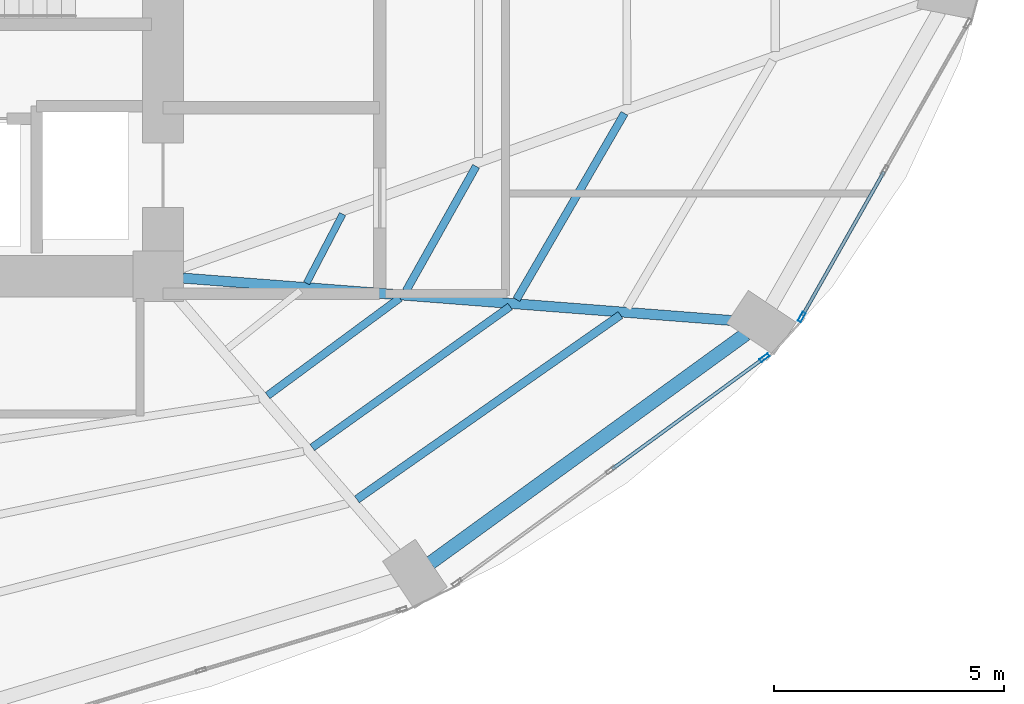
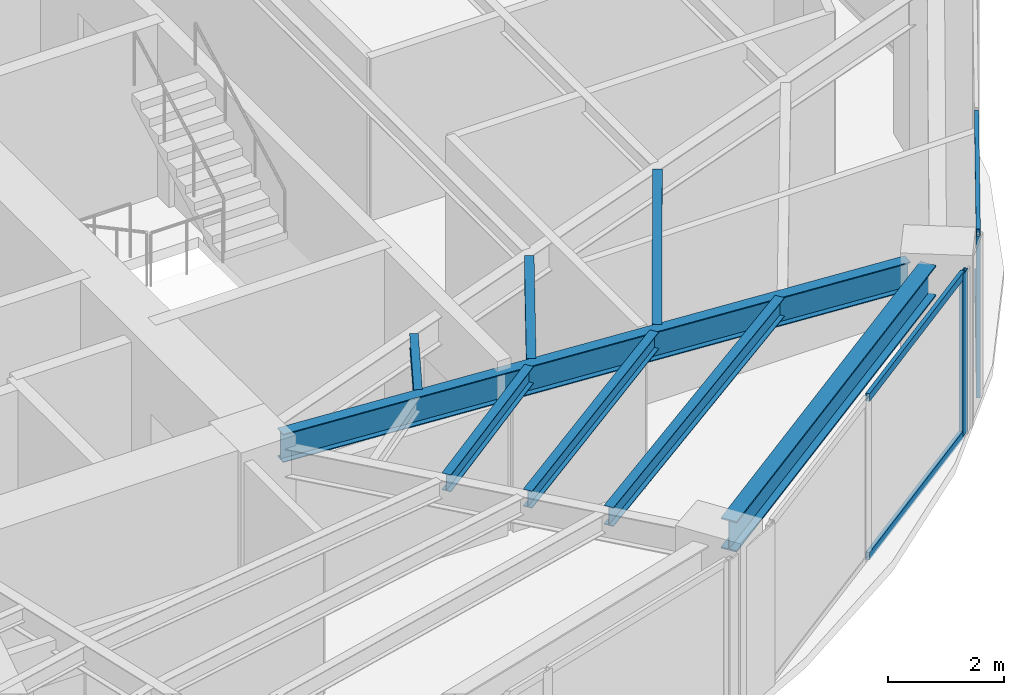
# One storey, part 10 of 24: 8 beams, 6 members, 2 elements without a shape of their own.
"""IFC4 building model written with IfcOpenShell, lengths in metres."""

from ifc_helpers import new_model, si_unit, direction, frame, origin, origin_2d, place, context, subcontext, project, spatial, hollow_rectangle, i_section, extrude, material, layer, layer_set, material_profile, profile_set, type_object, element, aggregate, save


model = new_model("IFC4")

# Units and contexts
model_context = context("Model", 3, precision=1e-05, world=origin(), true_north=direction((0.0, 1.0)))
body_context = subcontext(model_context, "Body", "Model", "MODEL_VIEW")
ifc_project = project(units=[si_unit("LENGTHUNIT", "METRE"), si_unit("AREAUNIT", "SQUARE_METRE"), si_unit("VOLUMEUNIT", "CUBIC_METRE"), si_unit("PLANEANGLEUNIT", "RADIAN"), si_unit("MASSUNIT", "GRAM", prefix="KILO")], contexts=[model_context])

# Site, building, storey
site_placement = place(None, origin())
site = spatial("IfcSite", under=ifc_project, at=site_placement, CompositionType="ELEMENT")
building_placement = place(site_placement, origin())
building = spatial("IfcBuilding", under=site, at=building_placement, Name="Lazwardi Medical Tower", CompositionType="ELEMENT")
storey_placement = place(building_placement, frame((0.0, 0.0, 39.7919921875)))
storey = spatial("IfcBuildingStorey", under=building, at=storey_placement, Name="L09", CompositionType="ELEMENT", Elevation=39.7919921875)

# Beams
ifc_material_1 = material(Name="Steel S355", Category="steel")
ifc_material_profile_1 = material_profile(ifc_material_1, i_section(OverallWidth=0.300048828125, OverallDepth=0.64990234375, WebThickness=0.01611328125, FlangeThickness=0.031005859375, at=origin_2d()), Name="HEB 650")
ifc_profile_set_1 = profile_set([ifc_material_profile_1], Name="Steel S355")
beam_type_1 = type_object("IfcBeamType", Name="BM-RB-Z1", PredefinedType="BEAM", material=ifc_profile_set_1)
beam_1_placement = place(storey_placement, frame((51.52099609375, 14.16259765625, 3.10302734375), z_axis=(0.80939338516, 0.5872668457, 0.0), x_axis=(-0.5872668457, 0.80939338516, 0.0)))
element("IfcBeam", 1, at=beam_1_placement, inside=storey, type_object=beam_type_1, Name="Ring beam RB-02 B02 L09", PredefinedType="BEAM", context=body_context, shape_type="SweptSolid", body=[
    extrude(i_section(OverallWidth=0.300048828125, OverallDepth=0.64990234375, WebThickness=0.01611328125, FlangeThickness=0.031005859375, at=origin_2d()), origin(), (0.0, 0.0, 1.0), 8.47412109375),
])
ifc_material_profile_2 = material_profile(ifc_material_1, i_section(OverallWidth=0.219970703125, OverallDepth=0.60009765625, WebThickness=0.011962890625, FlangeThickness=0.01904296875, at=origin_2d()), Name="IPE 600")
ifc_profile_set_2 = profile_set([ifc_material_profile_2], Name="Steel S355")
beam_type_2 = type_object("IfcBeamType", Name="BM-RG-W1", PredefinedType="BEAM", material=ifc_profile_set_2)
beam_2_placement = place(storey_placement, frame((58.1416015625, 19.430419921875, 3.1279296875), z_axis=(-0.997024241118, 0.077088667283, 0.0), x_axis=(-0.077088667283, -0.997024241118, 0.0)))
element("IfcBeam", 2, at=beam_2_placement, inside=storey, type_object=beam_type_2, Name="Radial girder RG-02 R03 L09", PredefinedType="BEAM", context=body_context, shape_type="SweptSolid", body=[
    extrude(i_section(OverallWidth=0.219970703125, OverallDepth=0.60009765625, WebThickness=0.011962890625, FlangeThickness=0.01904296875, at=origin_2d()), origin(), (0.0, 0.0, 1.0), 12.044189453125),
])
ifc_material_profile_3 = material_profile(ifc_material_1, i_section(OverallWidth=0.179931640625, OverallDepth=0.39990234375, WebThickness=0.008544921875, FlangeThickness=0.013427734375, at=origin_2d()), Name="IPE 400")
ifc_profile_set_3 = profile_set([ifc_material_profile_3], Name="Steel S355")
beam_type_3 = type_object("IfcBeamType", Name="BM-SJ-01", PredefinedType="JOIST", material=ifc_profile_set_3)
beam_3_placement = place(storey_placement, frame((49.91796875, 15.543701171875, 3.22802734375), z_axis=(0.81942522483, 0.573186096231, 0.0), x_axis=(-0.573186096231, 0.81942522483, 0.0)))
element("IfcBeam", 3, at=beam_3_placement, inside=storey, type_object=beam_type_3, Name="Secondary joist SJ-01 R1 B02 L09", PredefinedType="JOIST", context=body_context, shape_type="SweptSolid", body=[
    extrude(i_section(OverallWidth=0.179931640625, OverallDepth=0.39990234375, WebThickness=0.008544921875, FlangeThickness=0.013427734375, at=origin_2d()), origin(), (0.0, 0.0, 1.0), 6.999755859375),
])
ifc_material_profile_4 = material_profile(ifc_material_1, i_section(OverallWidth=0.169921875, OverallDepth=0.360107421875, WebThickness=0.008056640625, FlangeThickness=0.0126953125, at=origin_2d()), Name="IPE 360")
ifc_profile_set_4 = profile_set([ifc_material_profile_4], Name="Steel S355")
beam_type_4 = type_object("IfcBeamType", Name="BM-SJ-02", PredefinedType="JOIST", material=ifc_profile_set_4)
beam_4_placement = place(storey_placement, frame((48.94677734375, 16.672119140625, 3.248046875), z_axis=(0.814341377136, 0.580386183058, 0.0), x_axis=(-0.580386183058, 0.814341377136, 0.0)))
element("IfcBeam", 4, at=beam_4_placement, inside=storey, type_object=beam_type_4, Name="Secondary joist SJ-02 R2 B02 L09", PredefinedType="JOIST", context=body_context, shape_type="SweptSolid", body=[
    extrude(i_section(OverallWidth=0.169921875, OverallDepth=0.360107421875, WebThickness=0.008056640625, FlangeThickness=0.0126953125, at=origin_2d()), origin(), (0.0, 0.0, 1.0), 5.28759765625),
])
beam_5_placement = place(storey_placement, frame((53.39111328125, 19.892578125, 3.248046875), z_axis=(0.501798442848, 0.86498457949, 0.0), x_axis=(-0.86498457949, 0.501798442848, 0.0)))
element("IfcBeam", 5, at=beam_5_placement, inside=storey, type_object=beam_type_4, Name="Secondary joist SJ-02 R2 B03 L09", PredefinedType="JOIST", context=body_context, shape_type="SweptSolid", body=[
    extrude(i_section(OverallWidth=0.169921875, OverallDepth=0.360107421875, WebThickness=0.008056640625, FlangeThickness=0.0126953125, at=origin_2d()), origin(), (0.0, 0.0, 1.0), 4.683349609375),
])
beam_6_placement = place(storey_placement, frame((47.974853515625, 17.80126953125, 3.248046875), z_axis=(0.804580292353, 0.593843879448, 0.0), x_axis=(-0.593843879448, 0.804580292353, 0.0)))
element("IfcBeam", 6, at=beam_6_placement, inside=storey, type_object=beam_type_4, Name="Secondary joist SJ-02 R3 B02 L09", PredefinedType="JOIST", context=body_context, shape_type="SweptSolid", body=[
    extrude(i_section(OverallWidth=0.169921875, OverallDepth=0.360107421875, WebThickness=0.008056640625, FlangeThickness=0.0126953125, at=origin_2d()), origin(), (0.0, 0.0, 1.0), 3.576416015625),
])
beam_7_placement = place(storey_placement, frame((50.988037109375, 20.0791015625, 3.248046875), z_axis=(0.489974339037, 0.87173685656, 0.0), x_axis=(-0.87173685656, 0.489974339037, 0.0)))
element("IfcBeam", 7, at=beam_7_placement, inside=storey, type_object=beam_type_4, Name="Secondary joist SJ-02 R3 B03 L09", PredefinedType="JOIST", context=body_context, shape_type="SweptSolid", body=[
    extrude(i_section(OverallWidth=0.169921875, OverallDepth=0.360107421875, WebThickness=0.008056640625, FlangeThickness=0.0126953125, at=origin_2d()), origin(), (0.0, 0.0, 1.0), 3.111328125),
])
ifc_material_profile_5 = material_profile(ifc_material_1, i_section(OverallWidth=0.14990234375, OverallDepth=0.300048828125, WebThickness=0.007080078125, FlangeThickness=0.0107421875, at=origin_2d()), Name="IPE 300")
ifc_profile_set_5 = profile_set([ifc_material_profile_5], Name="Steel S355")
beam_type_5 = type_object("IfcBeamType", Name="BM-SJ-03", PredefinedType="JOIST", material=ifc_profile_set_5)
beam_8_placement = place(storey_placement, frame((48.82373046875, 20.247802734375, 3.278076171875), z_axis=(0.462162985948, 0.88679500135, 0.0), x_axis=(-0.88679500135, 0.462162985948, 0.0)))
element("IfcBeam", 8, at=beam_8_placement, inside=storey, type_object=beam_type_5, Name="Secondary joist SJ-03 R4 B03 L09", PredefinedType="JOIST", context=body_context, shape_type="SweptSolid", body=[
    extrude(i_section(OverallWidth=0.14990234375, OverallDepth=0.300048828125, WebThickness=0.007080078125, FlangeThickness=0.0107421875, at=origin_2d()), origin(), (0.0, 0.0, 1.0), 1.69775390625),
])

# Curtain wall, member
ifc_material_2 = material(Name="Anodised bronze aluminium and solar control glazing", Category="aluminium")
ifc_layer = layer(ifc_material_2, 0.199951171875)
ifc_layer_set = layer_set([ifc_layer], Name="Anodised bronze aluminium and solar control glazing")
curtain_wall_type = type_object("IfcCurtainWallType", Name="CW-SYS-02", PredefinedType="NOTDEFINED", material=ifc_layer_set)
curtain_wall_1_placement = place(storey_placement, origin())
curtain_wall_1 = element("IfcCurtainWall", 9, at=curtain_wall_1_placement, inside=storey, type_object=curtain_wall_type, Name="L09 Unitised bronze curtain wall CW-02", PredefinedType="NOTDEFINED")
ifc_material_3 = material(Name="Anodised bronze aluminium", Category="aluminium")
ifc_material_profile_6 = material_profile(ifc_material_3, hollow_rectangle(XDim=0.074951171875, YDim=0.219970703125, WallThickness=0.00390625, at=origin_2d()), Name="ALU-MULLION 220x75x4")
ifc_profile_set_6 = profile_set([ifc_material_profile_6], Name="Anodised bronze aluminium")
member_type_1 = type_object("IfcMemberType", Name="CW-MUL-01", PredefinedType="MULLION", material=ifc_profile_set_6)
member_1_placement = place(storey_placement, frame((58.790283203125, 18.62744140625, 0.0), z_axis=(0.0, 0.0, 1.0), x_axis=(-0.590289307341, 0.807191757663, 0.0)))
member_1 = element("IfcMember", 10, at=member_1_placement, type_object=member_type_1, Name="CW-02 mullion 3", PredefinedType="MULLION", context=body_context, shape_type="SweptSolid", body=[
    extrude(hollow_rectangle(XDim=0.074951171875, YDim=0.219970703125, WallThickness=0.00390625, at=origin_2d()), origin(), (0.0, 0.0, 1.0), 3.427978515625),
])

curtain_wall_2_placement = place(storey_placement, origin())
curtain_wall_2 = element("IfcCurtainWall", 11, at=curtain_wall_2_placement, inside=storey, type_object=curtain_wall_type, Name="L09 Unitised bronze curtain wall CW-02", PredefinedType="NOTDEFINED")
member_2_placement = place(storey_placement, frame((59.5966796875, 19.511474609375, 0.0), z_axis=(0.0, 0.0, 1.0), x_axis=(-0.870111838823, 0.492854327303, 0.0)))
member_2 = element("IfcMember", 12, at=member_2_placement, type_object=member_type_1, Name="CW-02 mullion 1", PredefinedType="MULLION", context=body_context, shape_type="SweptSolid", body=[
    extrude(hollow_rectangle(XDim=0.074951171875, YDim=0.219970703125, WallThickness=0.00390625, at=origin_2d()), origin(), (0.0, 0.0, 1.0), 3.427978515625),
])

# Member
ifc_material_profile_7 = material_profile(ifc_material_3, hollow_rectangle(XDim=0.074951171875, YDim=0.159912109375, WallThickness=0.00390625, at=origin_2d()), Name="ALU-TRANSOM 160x75x4")
ifc_profile_set_7 = profile_set([ifc_material_profile_7], Name="Anodised bronze aluminium")
member_type_2 = type_object("IfcMemberType", Name="CW-TRN-01", PredefinedType="USERDEFINED", material=ifc_profile_set_7)
member_3_placement = place(storey_placement, frame((55.474609375, 16.202880859375, 0.03759765625), z_axis=(0.807218536774, 0.590252686472, 0.0), x_axis=(-0.590252686472, 0.807218536774, 0.0)))
member_3 = element("IfcMember", 13, at=member_3_placement, type_object=member_type_2, Name="CW-02 transom 2.1", ObjectType="TRANSOM", PredefinedType="USERDEFINED", context=body_context, shape_type="SweptSolid", body=[
    extrude(hollow_rectangle(XDim=0.074951171875, YDim=0.159912109375, WallThickness=0.00390625, at=origin_2d()), origin(), (0.0, 0.0, 1.0), 4.070068359375),
])

member_4_placement = place(storey_placement, frame((55.474609375, 16.202880859375, 3.390625), z_axis=(0.807218536774, 0.590252686472, 0.0), x_axis=(-0.590252686472, 0.807218536774, 0.0)))
member_4 = element("IfcMember", 14, at=member_4_placement, type_object=member_type_2, Name="CW-02 transom 2.2", ObjectType="TRANSOM", PredefinedType="USERDEFINED", context=body_context, shape_type="SweptSolid", body=[
    extrude(hollow_rectangle(XDim=0.074951171875, YDim=0.159912109375, WallThickness=0.00390625, at=origin_2d()), origin(), (0.0, 0.0, 1.0), 4.070068359375),
])

aggregate(curtain_wall_1, [member_1, member_3, member_4])

member_5_placement = place(storey_placement, frame((59.615234375, 19.5439453125, 0.03759765625), z_axis=(0.49285148925, 0.870113446365, 0.0), x_axis=(-0.870113446365, 0.49285148925, 0.0)))
member_5 = element("IfcMember", 15, at=member_5_placement, type_object=member_type_2, Name="CW-02 transom 1.1", ObjectType="TRANSOM", PredefinedType="USERDEFINED", context=body_context, shape_type="SweptSolid", body=[
    extrude(hollow_rectangle(XDim=0.074951171875, YDim=0.159912109375, WallThickness=0.00390625, at=origin_2d()), origin(), (0.0, 0.0, 1.0), 3.594970703125),
])

member_6_placement = place(storey_placement, frame((59.615234375, 19.5439453125, 3.390625), z_axis=(0.49285148925, 0.870113446365, 0.0), x_axis=(-0.870113446365, 0.49285148925, 0.0)))
member_6 = element("IfcMember", 16, at=member_6_placement, type_object=member_type_2, Name="CW-02 transom 1.2", ObjectType="TRANSOM", PredefinedType="USERDEFINED", context=body_context, shape_type="SweptSolid", body=[
    extrude(hollow_rectangle(XDim=0.074951171875, YDim=0.159912109375, WallThickness=0.00390625, at=origin_2d()), origin(), (0.0, 0.0, 1.0), 3.594970703125),
])

aggregate(curtain_wall_2, [member_2, member_5, member_6])

save(model, "model.ifc")
